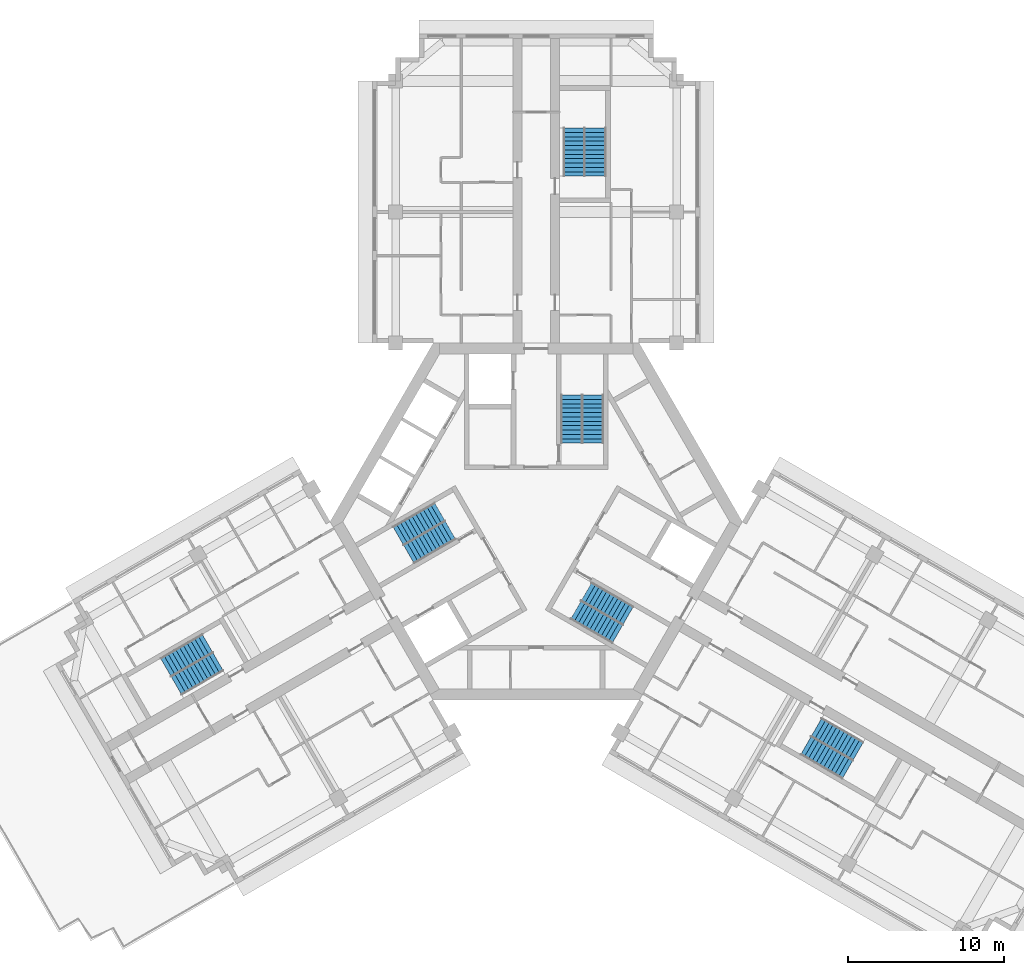
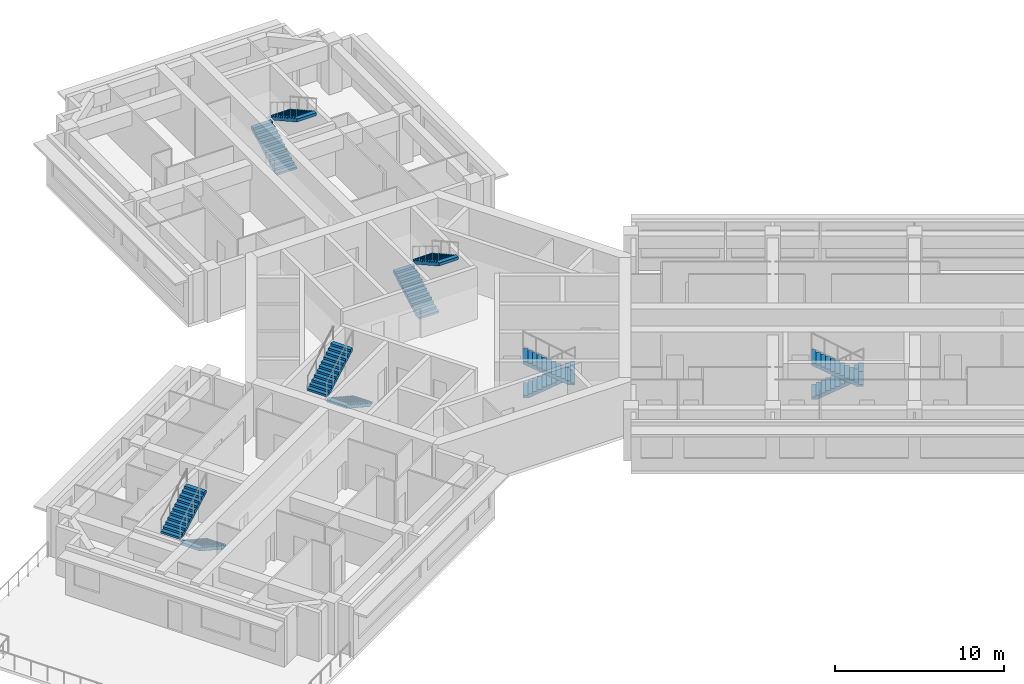
# One storey, part 9 of 11: 12 stair flights, 6 elements without a shape of their own.
"""IFC4 building model written with IfcOpenShell, lengths in metres."""

from ifc_helpers import new_model, si_unit, direction, frame, origin, place, context, subcontext, project, spatial, polyline, outline, extrude, material, type_object, element, aggregate, save


model = new_model("IFC4")

# Units and contexts
model_context = context("Model", 3, precision=1e-05, world=origin(), true_north=direction((0.0, 1.0)))
body_context = subcontext(model_context, "Body", "Model", "MODEL_VIEW")
ifc_project = project(units=[si_unit("LENGTHUNIT", "METRE"), si_unit("AREAUNIT", "SQUARE_METRE"), si_unit("VOLUMEUNIT", "CUBIC_METRE"), si_unit("PLANEANGLEUNIT", "RADIAN"), si_unit("MASSUNIT", "GRAM", prefix="KILO")], contexts=[model_context])

# Site, building, storey
site_placement = place(None, origin())
site = spatial("IfcSite", under=ifc_project, at=site_placement, CompositionType="ELEMENT")
building_placement = place(site_placement, origin())
building = spatial("IfcBuilding", under=site, at=building_placement, Name="Impinga Residences", CompositionType="ELEMENT")
storey_placement = place(building_placement, frame((0.0, 0.0, 218.5)))
storey = spatial("IfcBuildingStorey", under=building, at=storey_placement, Name="L54", CompositionType="ELEMENT", Elevation=218.5)

# Stair, stair flights
ifc_material = material(Name="Concrete C40/50", Category="concrete")
stair_type_1 = type_object("IfcStairType", Name="STR core stair 3750 storey, 24 risers", PredefinedType="HALF_TURN_STAIR", material=ifc_material)
stair_1_placement = place(storey_placement, origin())
stair_1 = element("IfcStair", 1, at=stair_1_placement, inside=storey, type_object=stair_type_1, Name="Stair ST1 L54", PredefinedType="HALF_TURN_STAIR")
stair_flight_type = type_object("IfcStairFlightType", Name="SF 12 risers of 156", PredefinedType="STRAIGHT", material=ifc_material)
stair_flight_1_placement = place(storey_placement, frame((2.27490234375, 5.030029296875, 0.0), z_axis=(0.0, 0.0, 1.0), x_axis=(0.0, 1.0, 0.0)))
stair_flight_1 = element("IfcStairFlight", 2, at=stair_flight_1_placement, type_object=stair_flight_type, Name="ST1 flight 1", NumberOfRisers=12, NumberOfTreads=11, PredefinedType="STRAIGHT", RiserHeight=0.15625, TreadLength=0.28, context=body_context, shape_type="SweptSolid", body=[
    extrude(outline(polyline([(0.0, 0.0), (0.0, 0.15625), (0.280029296875, 0.15625), (0.280029296875, 0.3125), (0.56005859375, 0.3125), (0.56005859375, 0.46875), (0.840087890625, 0.46875), (0.840087890625, 0.625), (1.1201171875, 0.625), (1.1201171875, 0.78125), (1.39990234375, 0.78125), (1.39990234375, 0.9375), (1.679931640625, 0.9375), (1.679931640625, 1.09375), (1.9599609375, 1.09375), (1.9599609375, 1.25), (2.239990234375, 1.25), (2.239990234375, 1.40625), (2.52001953125, 1.40625), (2.52001953125, 1.5625), (2.800048828125, 1.5625), (2.800048828125, 1.71875), (3.080078125, 1.71875), (3.080078125, 1.875), (3.080078125, 1.5126953125), (0.369140625, 0.0), (0.0, 0.0)])), frame((0.0, 0.675048828125, 0.0), z_axis=(0.0, -1.0, 0.0), x_axis=(1.0, 0.0, 0.0)), (0.0, 0.0, 1.0), 1.35009765625),
])
stair_flight_2_placement = place(storey_placement, frame((3.625, 8.110107421875, 1.875), z_axis=(0.0, 0.0, 1.0), x_axis=(0.0, -1.0, 0.0)))
stair_flight_2 = element("IfcStairFlight", 3, at=stair_flight_2_placement, type_object=stair_flight_type, Name="ST1 flight 2", NumberOfRisers=12, NumberOfTreads=11, PredefinedType="STRAIGHT", RiserHeight=0.15625, TreadLength=0.28, context=body_context, shape_type="SweptSolid", body=[
    extrude(outline(polyline([(0.0, 0.0), (0.0, 0.15625), (0.280029296875, 0.15625), (0.280029296875, 0.3125), (0.56005859375, 0.3125), (0.56005859375, 0.46875), (0.840087890625, 0.46875), (0.840087890625, 0.625), (1.1201171875, 0.625), (1.1201171875, 0.78125), (1.39990234375, 0.78125), (1.39990234375, 0.9375), (1.679931640625, 0.9375), (1.679931640625, 1.09375), (1.9599609375, 1.09375), (1.9599609375, 1.25), (2.239990234375, 1.25), (2.239990234375, 1.40625), (2.52001953125, 1.40625), (2.52001953125, 1.5625), (2.800048828125, 1.5625), (2.800048828125, 1.71875), (3.080078125, 1.71875), (3.080078125, 1.875), (3.080078125, 1.5126953125), (0.369140625, 0.0), (0.0, 0.0)])), frame((0.0, 0.675048828125, 0.0), z_axis=(0.0, -1.0, 0.0), x_axis=(1.0, 0.0, 0.0)), (0.0, 0.0, 1.0), 1.35009765625),
])
aggregate(stair_1, [stair_flight_1, stair_flight_2])

stair_2_placement = place(storey_placement, origin())
stair_2 = element("IfcStair", 4, at=stair_2_placement, inside=storey, type_object=stair_type_1, Name="Stair ST2 L54", PredefinedType="HALF_TURN_STAIR")
stair_flight_3_placement = place(storey_placement, frame((-5.49365234375, -0.544677734375, 0.0), z_axis=(0.0, 0.0, 1.0), x_axis=(-0.866025403784, -0.5, 0.0)))
stair_flight_3 = element("IfcStairFlight", 5, at=stair_flight_3_placement, type_object=stair_flight_type, Name="ST2 flight 1", NumberOfRisers=12, NumberOfTreads=11, PredefinedType="STRAIGHT", RiserHeight=0.15625, TreadLength=0.28, context=body_context, shape_type="SweptSolid", body=[
    extrude(outline(polyline([(0.0, 0.0), (0.0, 0.15625), (0.280029296875, 0.15625), (0.280029296875, 0.3125), (0.56005859375, 0.3125), (0.56005859375, 0.46875), (0.840087890625, 0.46875), (0.840087890625, 0.625), (1.1201171875, 0.625), (1.1201171875, 0.78125), (1.39990234375, 0.78125), (1.39990234375, 0.9375), (1.679931640625, 0.9375), (1.679931640625, 1.09375), (1.9599609375, 1.09375), (1.9599609375, 1.25), (2.239990234375, 1.25), (2.239990234375, 1.40625), (2.52001953125, 1.40625), (2.52001953125, 1.5625), (2.800048828125, 1.5625), (2.800048828125, 1.71875), (3.080078125, 1.71875), (3.080078125, 1.875), (3.080078125, 1.5126953125), (0.369140625, 0.0), (0.0, 0.0)])), frame((0.0, 0.675048828125, 0.0), z_axis=(0.0, -1.0, 0.0), x_axis=(1.0, 0.0, 0.0)), (0.0, 0.0, 1.0), 1.35009765625),
])
stair_flight_4_placement = place(storey_placement, frame((-8.8359375, -0.915771484375, 1.875), z_axis=(0.0, 0.0, 1.0), x_axis=(0.866025403784, 0.5, 0.0)))
stair_flight_4 = element("IfcStairFlight", 6, at=stair_flight_4_placement, type_object=stair_flight_type, Name="ST2 flight 2", NumberOfRisers=12, NumberOfTreads=11, PredefinedType="STRAIGHT", RiserHeight=0.15625, TreadLength=0.28, context=body_context, shape_type="SweptSolid", body=[
    extrude(outline(polyline([(0.0, 0.0), (0.0, 0.15625), (0.280029296875, 0.15625), (0.280029296875, 0.3125), (0.56005859375, 0.3125), (0.56005859375, 0.46875), (0.840087890625, 0.46875), (0.840087890625, 0.625), (1.1201171875, 0.625), (1.1201171875, 0.78125), (1.39990234375, 0.78125), (1.39990234375, 0.9375), (1.679931640625, 0.9375), (1.679931640625, 1.09375), (1.9599609375, 1.09375), (1.9599609375, 1.25), (2.239990234375, 1.25), (2.239990234375, 1.40625), (2.52001953125, 1.40625), (2.52001953125, 1.5625), (2.800048828125, 1.5625), (2.800048828125, 1.71875), (3.080078125, 1.71875), (3.080078125, 1.875), (3.080078125, 1.5126953125), (0.369140625, 0.0), (0.0, 0.0)])), frame((0.0, 0.675048828125, 0.0), z_axis=(0.0, -1.0, 0.0), x_axis=(1.0, 0.0, 0.0)), (0.0, 0.0, 1.0), 1.35009765625),
])
aggregate(stair_2, [stair_flight_3, stair_flight_4])

stair_3_placement = place(storey_placement, origin())
stair_3 = element("IfcStair", 7, at=stair_3_placement, inside=storey, type_object=stair_type_1, Name="Stair ST3 L54", PredefinedType="HALF_TURN_STAIR")
stair_flight_5_placement = place(storey_placement, frame((3.218505859375, -4.485107421875, 0.0), z_axis=(0.0, 0.0, 1.0), x_axis=(0.866025403784, -0.5, 0.0)))
stair_flight_5 = element("IfcStairFlight", 8, at=stair_flight_5_placement, type_object=stair_flight_type, Name="ST3 flight 1", NumberOfRisers=12, NumberOfTreads=11, PredefinedType="STRAIGHT", RiserHeight=0.15625, TreadLength=0.28, context=body_context, shape_type="SweptSolid", body=[
    extrude(outline(polyline([(0.0, 0.0), (0.0, 0.15625), (0.280029296875, 0.15625), (0.280029296875, 0.3125), (0.56005859375, 0.3125), (0.56005859375, 0.46875), (0.840087890625, 0.46875), (0.840087890625, 0.625), (1.1201171875, 0.625), (1.1201171875, 0.78125), (1.39990234375, 0.78125), (1.39990234375, 0.9375), (1.679931640625, 0.9375), (1.679931640625, 1.09375), (1.9599609375, 1.09375), (1.9599609375, 1.25), (2.239990234375, 1.25), (2.239990234375, 1.40625), (2.52001953125, 1.40625), (2.52001953125, 1.5625), (2.800048828125, 1.5625), (2.800048828125, 1.71875), (3.080078125, 1.71875), (3.080078125, 1.875), (3.080078125, 1.5126953125), (0.369140625, 0.0), (0.0, 0.0)])), frame((0.0, 0.675048828125, 0.0), z_axis=(0.0, -1.0, 0.0), x_axis=(1.0, 0.0, 0.0)), (0.0, 0.0, 1.0), 1.35009765625),
])
stair_flight_6_placement = place(storey_placement, frame((5.2109375, -7.1943359375, 1.875), z_axis=(0.0, 0.0, 1.0), x_axis=(-0.866025403784, 0.5, 0.0)))
stair_flight_6 = element("IfcStairFlight", 9, at=stair_flight_6_placement, type_object=stair_flight_type, Name="ST3 flight 2", NumberOfRisers=12, NumberOfTreads=11, PredefinedType="STRAIGHT", RiserHeight=0.15625, TreadLength=0.28, context=body_context, shape_type="SweptSolid", body=[
    extrude(outline(polyline([(0.0, 0.0), (0.0, 0.15625), (0.280029296875, 0.15625), (0.280029296875, 0.3125), (0.56005859375, 0.3125), (0.56005859375, 0.46875), (0.840087890625, 0.46875), (0.840087890625, 0.625), (1.1201171875, 0.625), (1.1201171875, 0.78125), (1.39990234375, 0.78125), (1.39990234375, 0.9375), (1.679931640625, 0.9375), (1.679931640625, 1.09375), (1.9599609375, 1.09375), (1.9599609375, 1.25), (2.239990234375, 1.25), (2.239990234375, 1.40625), (2.52001953125, 1.40625), (2.52001953125, 1.5625), (2.800048828125, 1.5625), (2.800048828125, 1.71875), (3.080078125, 1.71875), (3.080078125, 1.875), (3.080078125, 1.5126953125), (0.369140625, 0.0), (0.0, 0.0)])), frame((0.0, 0.675048828125, 0.0), z_axis=(0.0, -1.0, 0.0), x_axis=(1.0, 0.0, 0.0)), (0.0, 0.0, 1.0), 1.35009765625),
])
aggregate(stair_3, [stair_flight_5, stair_flight_6])

stair_type_2 = type_object("IfcStairType", Name="STR wing stair 3750 storey, 24 risers", PredefinedType="HALF_TURN_STAIR", material=ifc_material)
stair_4_placement = place(storey_placement, origin())
stair_4 = element("IfcStair", 10, at=stair_4_placement, inside=storey, type_object=stair_type_2, Name="Stair WS1 L54", PredefinedType="HALF_TURN_STAIR")
stair_flight_7_placement = place(storey_placement, frame((2.425048828125, 22.131591796875, 0.0), z_axis=(0.0, 0.0, 1.0), x_axis=(0.0, 1.0, 0.0)))
stair_flight_7 = element("IfcStairFlight", 11, at=stair_flight_7_placement, type_object=stair_flight_type, Name="WS1 flight 1", NumberOfRisers=12, NumberOfTreads=11, PredefinedType="STRAIGHT", RiserHeight=0.15625, TreadLength=0.28, context=body_context, shape_type="SweptSolid", body=[
    extrude(outline(polyline([(0.0, 0.0), (0.0, 0.15625), (0.280029296875, 0.15625), (0.280029296875, 0.3125), (0.56005859375, 0.3125), (0.56005859375, 0.46875), (0.840087890625, 0.46875), (0.840087890625, 0.625), (1.1201171875, 0.625), (1.1201171875, 0.78125), (1.39990234375, 0.78125), (1.39990234375, 0.9375), (1.679931640625, 0.9375), (1.679931640625, 1.09375), (1.9599609375, 1.09375), (1.9599609375, 1.25), (2.239990234375, 1.25), (2.239990234375, 1.40625), (2.52001953125, 1.40625), (2.52001953125, 1.5625), (2.800048828125, 1.5625), (2.800048828125, 1.71875), (3.080078125, 1.71875), (3.080078125, 1.875), (3.080078125, 1.5126953125), (0.369140625, 0.0), (0.0, 0.0)])), frame((0.0, 0.675048828125, 0.0), z_axis=(0.0, -1.0, 0.0), x_axis=(1.0, 0.0, 0.0)), (0.0, 0.0, 1.0), 1.35009765625),
])
stair_flight_8_placement = place(storey_placement, frame((3.77490234375, 25.21142578125, 1.875), z_axis=(0.0, 0.0, 1.0), x_axis=(0.0, -1.0, 0.0)))
stair_flight_8 = element("IfcStairFlight", 12, at=stair_flight_8_placement, type_object=stair_flight_type, Name="WS1 flight 2", NumberOfRisers=12, NumberOfTreads=11, PredefinedType="STRAIGHT", RiserHeight=0.15625, TreadLength=0.28, context=body_context, shape_type="SweptSolid", body=[
    extrude(outline(polyline([(0.0, 0.0), (0.0, 0.15625), (0.280029296875, 0.15625), (0.280029296875, 0.3125), (0.56005859375, 0.3125), (0.56005859375, 0.46875), (0.840087890625, 0.46875), (0.840087890625, 0.625), (1.1201171875, 0.625), (1.1201171875, 0.78125), (1.39990234375, 0.78125), (1.39990234375, 0.9375), (1.679931640625, 0.9375), (1.679931640625, 1.09375), (1.9599609375, 1.09375), (1.9599609375, 1.25), (2.239990234375, 1.25), (2.239990234375, 1.40625), (2.52001953125, 1.40625), (2.52001953125, 1.5625), (2.800048828125, 1.5625), (2.800048828125, 1.71875), (3.080078125, 1.71875), (3.080078125, 1.875), (3.080078125, 1.5126953125), (0.369140625, 0.0), (0.0, 0.0)])), frame((0.0, 0.675048828125, 0.0), z_axis=(0.0, -1.0, 0.0), x_axis=(1.0, 0.0, 0.0)), (0.0, 0.0, 1.0), 1.35009765625),
])
aggregate(stair_4, [stair_flight_7, stair_flight_8])

stair_5_placement = place(storey_placement, origin())
stair_5 = element("IfcStair", 13, at=stair_5_placement, inside=storey, type_object=stair_type_2, Name="Stair WS2 L54", PredefinedType="HALF_TURN_STAIR")
stair_flight_9_placement = place(storey_placement, frame((-20.37890625, -8.965576171875, 0.0), z_axis=(0.0, 0.0, 1.0), x_axis=(-0.866025403784, -0.5, 0.0)))
stair_flight_9 = element("IfcStairFlight", 14, at=stair_flight_9_placement, type_object=stair_flight_type, Name="WS2 flight 1", NumberOfRisers=12, NumberOfTreads=11, PredefinedType="STRAIGHT", RiserHeight=0.15625, TreadLength=0.28, context=body_context, shape_type="SweptSolid", body=[
    extrude(outline(polyline([(0.0, 0.0), (0.0, 0.15625), (0.280029296875, 0.15625), (0.280029296875, 0.3125), (0.56005859375, 0.3125), (0.56005859375, 0.46875), (0.840087890625, 0.46875), (0.840087890625, 0.625), (1.1201171875, 0.625), (1.1201171875, 0.78125), (1.39990234375, 0.78125), (1.39990234375, 0.9375), (1.679931640625, 0.9375), (1.679931640625, 1.09375), (1.9599609375, 1.09375), (1.9599609375, 1.25), (2.239990234375, 1.25), (2.239990234375, 1.40625), (2.52001953125, 1.40625), (2.52001953125, 1.5625), (2.800048828125, 1.5625), (2.800048828125, 1.71875), (3.080078125, 1.71875), (3.080078125, 1.875), (3.080078125, 1.5126953125), (0.369140625, 0.0), (0.0, 0.0)])), frame((0.0, 0.675048828125, 0.0), z_axis=(0.0, -1.0, 0.0), x_axis=(1.0, 0.0, 0.0)), (0.0, 0.0, 1.0), 1.35009765625),
])
stair_flight_10_placement = place(storey_placement, frame((-23.721435546875, -9.33642578125, 1.875), z_axis=(0.0, 0.0, 1.0), x_axis=(0.866025403784, 0.5, 0.0)))
stair_flight_10 = element("IfcStairFlight", 15, at=stair_flight_10_placement, type_object=stair_flight_type, Name="WS2 flight 2", NumberOfRisers=12, NumberOfTreads=11, PredefinedType="STRAIGHT", RiserHeight=0.15625, TreadLength=0.28, context=body_context, shape_type="SweptSolid", body=[
    extrude(outline(polyline([(0.0, 0.0), (0.0, 0.15625), (0.280029296875, 0.15625), (0.280029296875, 0.3125), (0.56005859375, 0.3125), (0.56005859375, 0.46875), (0.840087890625, 0.46875), (0.840087890625, 0.625), (1.1201171875, 0.625), (1.1201171875, 0.78125), (1.39990234375, 0.78125), (1.39990234375, 0.9375), (1.679931640625, 0.9375), (1.679931640625, 1.09375), (1.9599609375, 1.09375), (1.9599609375, 1.25), (2.239990234375, 1.25), (2.239990234375, 1.40625), (2.52001953125, 1.40625), (2.52001953125, 1.5625), (2.800048828125, 1.5625), (2.800048828125, 1.71875), (3.080078125, 1.71875), (3.080078125, 1.875), (3.080078125, 1.5126953125), (0.369140625, 0.0), (0.0, 0.0)])), frame((0.0, 0.675048828125, 0.0), z_axis=(0.0, -1.0, 0.0), x_axis=(1.0, 0.0, 0.0)), (0.0, 0.0, 1.0), 1.35009765625),
])
aggregate(stair_5, [stair_flight_9, stair_flight_10])

stair_6_placement = place(storey_placement, origin())
stair_6 = element("IfcStair", 16, at=stair_6_placement, inside=storey, type_object=stair_type_2, Name="Stair WS3 L54", PredefinedType="HALF_TURN_STAIR")
stair_flight_11_placement = place(storey_placement, frame((17.953857421875, -13.165771484375, 0.0), z_axis=(0.0, 0.0, 1.0), x_axis=(0.866025403784, -0.5, 0.0)))
stair_flight_11 = element("IfcStairFlight", 17, at=stair_flight_11_placement, type_object=stair_flight_type, Name="WS3 flight 1", NumberOfRisers=12, NumberOfTreads=11, PredefinedType="STRAIGHT", RiserHeight=0.15625, TreadLength=0.28, context=body_context, shape_type="SweptSolid", body=[
    extrude(outline(polyline([(0.0, 0.0), (0.0, 0.15625), (0.280029296875, 0.15625), (0.280029296875, 0.3125), (0.56005859375, 0.3125), (0.56005859375, 0.46875), (0.840087890625, 0.46875), (0.840087890625, 0.625), (1.1201171875, 0.625), (1.1201171875, 0.78125), (1.39990234375, 0.78125), (1.39990234375, 0.9375), (1.679931640625, 0.9375), (1.679931640625, 1.09375), (1.9599609375, 1.09375), (1.9599609375, 1.25), (2.239990234375, 1.25), (2.239990234375, 1.40625), (2.52001953125, 1.40625), (2.52001953125, 1.5625), (2.800048828125, 1.5625), (2.800048828125, 1.71875), (3.080078125, 1.71875), (3.080078125, 1.875), (3.080078125, 1.5126953125), (0.369140625, 0.0), (0.0, 0.0)])), frame((0.0, 0.675048828125, 0.0), z_axis=(0.0, -1.0, 0.0), x_axis=(1.0, 0.0, 0.0)), (0.0, 0.0, 1.0), 1.35009765625),
])
stair_flight_12_placement = place(storey_placement, frame((19.9462890625, -15.875, 1.875), z_axis=(0.0, 0.0, 1.0), x_axis=(-0.866025403784, 0.5, 0.0)))
stair_flight_12 = element("IfcStairFlight", 18, at=stair_flight_12_placement, type_object=stair_flight_type, Name="WS3 flight 2", NumberOfRisers=12, NumberOfTreads=11, PredefinedType="STRAIGHT", RiserHeight=0.15625, TreadLength=0.28, context=body_context, shape_type="SweptSolid", body=[
    extrude(outline(polyline([(0.0, 0.0), (0.0, 0.15625), (0.280029296875, 0.15625), (0.280029296875, 0.3125), (0.56005859375, 0.3125), (0.56005859375, 0.46875), (0.840087890625, 0.46875), (0.840087890625, 0.625), (1.1201171875, 0.625), (1.1201171875, 0.78125), (1.39990234375, 0.78125), (1.39990234375, 0.9375), (1.679931640625, 0.9375), (1.679931640625, 1.09375), (1.9599609375, 1.09375), (1.9599609375, 1.25), (2.239990234375, 1.25), (2.239990234375, 1.40625), (2.52001953125, 1.40625), (2.52001953125, 1.5625), (2.800048828125, 1.5625), (2.800048828125, 1.71875), (3.080078125, 1.71875), (3.080078125, 1.875), (3.080078125, 1.5126953125), (0.369140625, 0.0), (0.0, 0.0)])), frame((0.0, 0.675048828125, 0.0), z_axis=(0.0, -1.0, 0.0), x_axis=(1.0, 0.0, 0.0)), (0.0, 0.0, 1.0), 1.35009765625),
])
aggregate(stair_6, [stair_flight_11, stair_flight_12])

save(model, "model.ifc")
